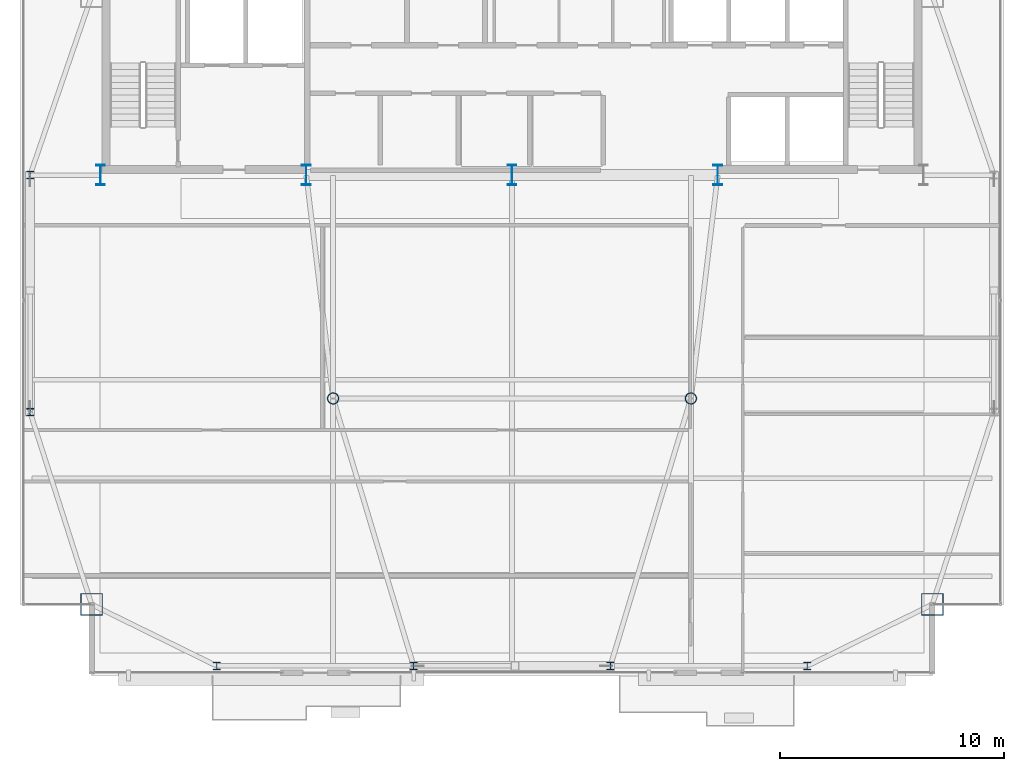
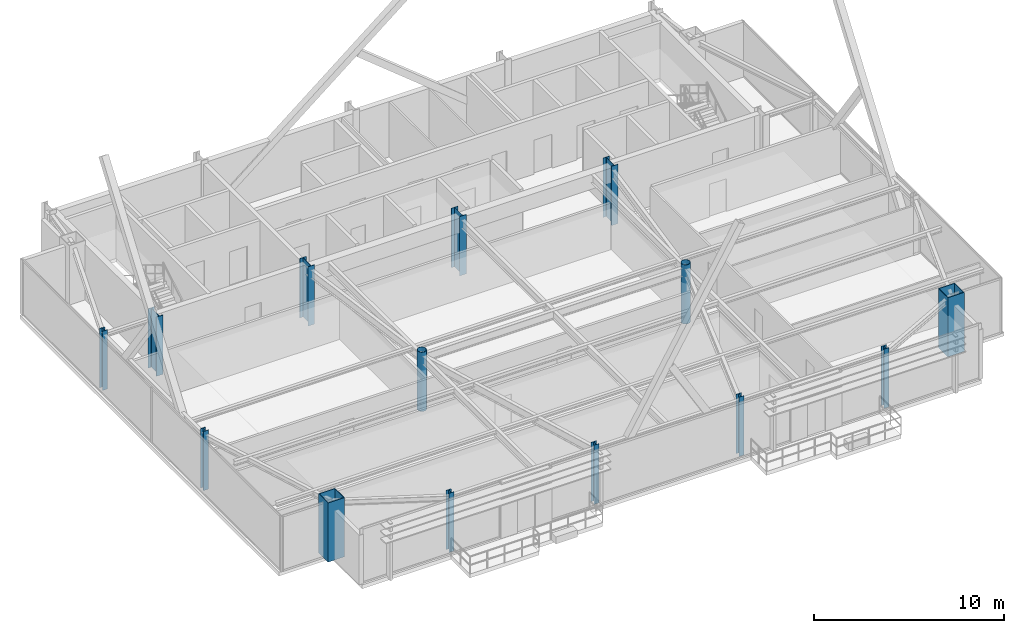
# One storey, part 1 of 25: 14 columns.
"""IFC4 building model written with IfcOpenShell, lengths in metres."""

from ifc_helpers import new_model, si_unit, direction, frame, origin, origin_2d, place, context, subcontext, project, spatial, hollow_rectangle, hollow_circle, i_section, extrude, source, transform, mapped, material, material_profile, profile_set, type_object, type_shapes, element, save


model = new_model("IFC4")

# Units and contexts
model_context = context("Model", 3, precision=1e-05, world=origin(), true_north=direction((0.0, 1.0)))
body_context = subcontext(model_context, "Body", "Model", "MODEL_VIEW")
ifc_project = project(units=[si_unit("LENGTHUNIT", "METRE"), si_unit("AREAUNIT", "SQUARE_METRE"), si_unit("VOLUMEUNIT", "CUBIC_METRE"), si_unit("PLANEANGLEUNIT", "RADIAN"), si_unit("MASSUNIT", "GRAM", prefix="KILO")], contexts=[model_context])

# Site, building, storey
site_placement = place(None, origin())
site = spatial("IfcSite", under=ifc_project, at=site_placement, CompositionType="ELEMENT")
building_placement = place(site_placement, origin())
building = spatial("IfcBuilding", under=site, at=building_placement, Name="Varnel Quay Broadcast Tower", CompositionType="ELEMENT")
storey_placement = place(building_placement, frame((0.0, 0.0, 273.60009765625)))
storey = spatial("IfcBuildingStorey", under=building, at=storey_placement, Name="L68", CompositionType="ELEMENT", Elevation=273.60009765625)

# Columns
ifc_material_1 = material(Name="Structural Steel CSA G40.21 350WT", Category="steel")
ifc_material_profile_1 = material_profile(ifc_material_1, i_section(OverallWidth=0.39990234375, OverallDepth=0.89990234375, WebThickness=0.01611328125, FlangeThickness=0.028076171875, FilletRadius=0.01611328125, at=origin_2d()), Name="WWF900X309")
ifc_profile_set_1 = profile_set([ifc_material_profile_1], Name="Structural Steel CSA G40.21 350WT")
column_type_1 = type_object("IfcColumnType", Name="Col_WWF900X309", PredefinedType="COLUMN", material=ifc_profile_set_1)
shared_shape_1 = source(origin(), body_context, "Body", "SweptSolid", [
    extrude(i_section(OverallWidth=0.39990234375, OverallDepth=0.89990234375, WebThickness=0.01611328125, FlangeThickness=0.028076171875, FilletRadius=0.01611328125, at=origin_2d()), origin(), (0.0, 0.0, 1.0), 3.7998046875),
])
type_shapes(column_type_1, [shared_shape_1])
for number, where, z_axis, x_axis, name in (
    (1, (15.60009765625, 35.60009765625, 0.0), (0.0, 0.0, 1.0), (1.0, 0.0, 0.0), "L68 Column CC-S1"),
    (2, (24.800048828125, 35.60009765625, 0.0), (0.0, 0.0, 1.0), (1.0, 0.0, 0.0), "L68 Column CC-S2"),
    (3, (34.0, 35.60009765625, 0.0), (0.0, 0.0, 1.0), (1.0, 0.0, 0.0), "L68 Column CC-S3"),
    (4, (43.199951171875, 35.60009765625, 0.0), (0.0, 0.0, 1.0), (1.0, 0.0, 0.0), "L68 Column CC-S4"),
):
    element("IfcColumn", number, at=place(storey_placement, frame(where, z_axis=z_axis, x_axis=x_axis)), inside=storey, type_object=column_type_1, Name=name, PredefinedType="COLUMN", context=body_context, shape_type="MappedRepresentation", body=[
        mapped(shared_shape_1, transform((0.0, 0.0, 0.0), x_axis=(1.0, 0.0, 0.0), y_axis=(0.0, 1.0, 0.0), z_axis=(0.0, 0.0, 1.0), scale=1.0)),
    ])
ifc_material_profile_2 = material_profile(ifc_material_1, hollow_rectangle(XDim=1.0, YDim=1.0, WallThickness=0.0400390625, at=origin_2d()), Name="BOX1000X1000X40")
ifc_profile_set_2 = profile_set([ifc_material_profile_2], Name="Structural Steel CSA G40.21 350WT")
column_type_2 = type_object("IfcColumnType", Name="Col_BOX1000X1000X40", PredefinedType="COLUMN", material=ifc_profile_set_2)
shared_shape_2 = source(origin(), body_context, "Body", "SweptSolid", [
    extrude(hollow_rectangle(XDim=1.0, YDim=1.0, WallThickness=0.0400390625, at=origin_2d()), origin(), (0.0, 0.0, 1.0), 3.7998046875),
])
type_shapes(column_type_2, [shared_shape_2])
for number, where, z_axis, x_axis, name in (
    (5, (15.199951171875, 16.39990234375, 0.0), (0.0, 0.0, 1.0), (1.0, 0.0, 0.0), "L68 Column MC-SW"),
    (6, (52.800048828125, 16.39990234375, 0.0), (0.0, 0.0, 1.0), (1.0, 0.0, 0.0), "L68 Column MC-SE"),
):
    element("IfcColumn", number, at=place(storey_placement, frame(where, z_axis=z_axis, x_axis=x_axis)), inside=storey, type_object=column_type_2, Name=name, PredefinedType="COLUMN", context=body_context, shape_type="MappedRepresentation", body=[
        mapped(shared_shape_2, transform((0.0, 0.0, 0.0), x_axis=(1.0, 0.0, 0.0), y_axis=(0.0, 1.0, 0.0), z_axis=(0.0, 0.0, 1.0), scale=1.0)),
    ])
ifc_material_2 = material(Name="Structural Steel CSA G40.21 350W", Category="steel")
ifc_material_profile_3 = material_profile(ifc_material_2, i_section(OverallWidth=0.30908203125, OverallDepth=0.322998046875, WebThickness=0.013916015625, FlangeThickness=0.02294921875, FilletRadius=0.014892578125, at=origin_2d()), Name="W310X143")
ifc_profile_set_3 = profile_set([ifc_material_profile_3], Name="Structural Steel CSA G40.21 350W")
column_type_3 = type_object("IfcColumnType", Name="Col_W310X143", PredefinedType="COLUMN", material=ifc_profile_set_3)
shared_shape_3 = source(origin(), body_context, "Body", "SweptSolid", [
    extrude(i_section(OverallWidth=0.30908203125, OverallDepth=0.322998046875, WebThickness=0.013916015625, FlangeThickness=0.02294921875, FilletRadius=0.014892578125, at=origin_2d()), origin(), (0.0, 0.0, 1.0), 3.7998046875),
])
type_shapes(column_type_3, [shared_shape_3])
for number, where, z_axis, x_axis, name in (
    (7, (20.800048828125, 13.64990234375, 0.0), (0.0, 0.0, 1.0), (1.0, 0.0, 0.0), "L68 Column TC-S1"),
    (8, (29.60009765625, 13.64990234375, 0.0), (0.0, 0.0, 1.0), (1.0, 0.0, 0.0), "L68 Column TC-S2"),
    (9, (38.39990234375, 13.64990234375, 0.0), (0.0, 0.0, 1.0), (1.0, 0.0, 0.0), "L68 Column TC-S3"),
    (10, (47.199951171875, 13.64990234375, 0.0), (0.0, 0.0, 1.0), (1.0, 0.0, 0.0), "L68 Column TC-S4"),
    (11, (12.449951171875, 25.0, 0.0), (0.0, 0.0, 1.0), (1.0, 0.0, 0.0), "L68 Column TC-W1"),
    (12, (12.449951171875, 35.60009765625, 0.0), (0.0, 0.0, 1.0), (1.0, 0.0, 0.0), "L68 Column TC-W2"),
):
    element("IfcColumn", number, at=place(storey_placement, frame(where, z_axis=z_axis, x_axis=x_axis)), inside=storey, type_object=column_type_3, Name=name, PredefinedType="COLUMN", context=body_context, shape_type="MappedRepresentation", body=[
        mapped(shared_shape_3, transform((0.0, 0.0, 0.0), x_axis=(1.0, 0.0, 0.0), y_axis=(0.0, 1.0, 0.0), z_axis=(0.0, 0.0, 1.0), scale=1.0)),
    ])
ifc_material_profile_4 = material_profile(ifc_material_2, hollow_circle(Radius=0.25390625, WallThickness=0.02001953125, at=origin_2d()), Name="CHS508X20")
ifc_profile_set_4 = profile_set([ifc_material_profile_4], Name="Structural Steel CSA G40.21 350W")
column_type_4 = type_object("IfcColumnType", Name="Col_CHS508X20", PredefinedType="COLUMN", material=ifc_profile_set_4)
shared_shape_4 = source(origin(), body_context, "Body", "SweptSolid", [
    extrude(hollow_circle(Radius=0.25390625, WallThickness=0.02001953125, at=origin_2d()), origin(), (0.0, 0.0, 1.0), 3.7998046875),
])
type_shapes(column_type_4, [shared_shape_4])
for number, where, z_axis, x_axis, name in (
    (13, (26.0, 25.610107421875, 0.0), (0.0, 0.0, 1.0), (1.0, 0.0, 0.0), "L68 Column IC-01"),
    (14, (42.0, 25.610107421875, 0.0), (0.0, 0.0, 1.0), (1.0, 0.0, 0.0), "L68 Column IC-02"),
):
    element("IfcColumn", number, at=place(storey_placement, frame(where, z_axis=z_axis, x_axis=x_axis)), inside=storey, type_object=column_type_4, Name=name, PredefinedType="COLUMN", context=body_context, shape_type="MappedRepresentation", body=[
        mapped(shared_shape_4, transform((0.0, 0.0, 0.0), x_axis=(1.0, 0.0, 0.0), y_axis=(0.0, 1.0, 0.0), z_axis=(0.0, 0.0, 1.0), scale=1.0)),
    ])

save(model, "model.ifc")
